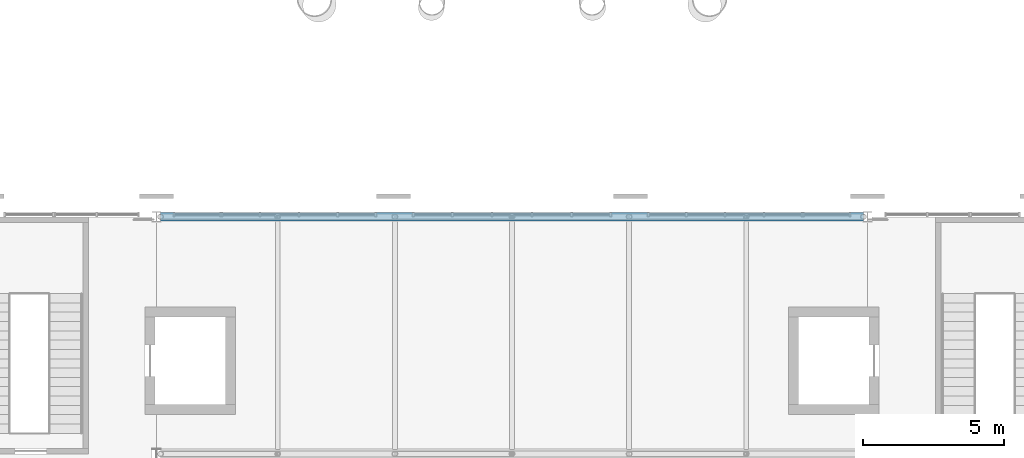
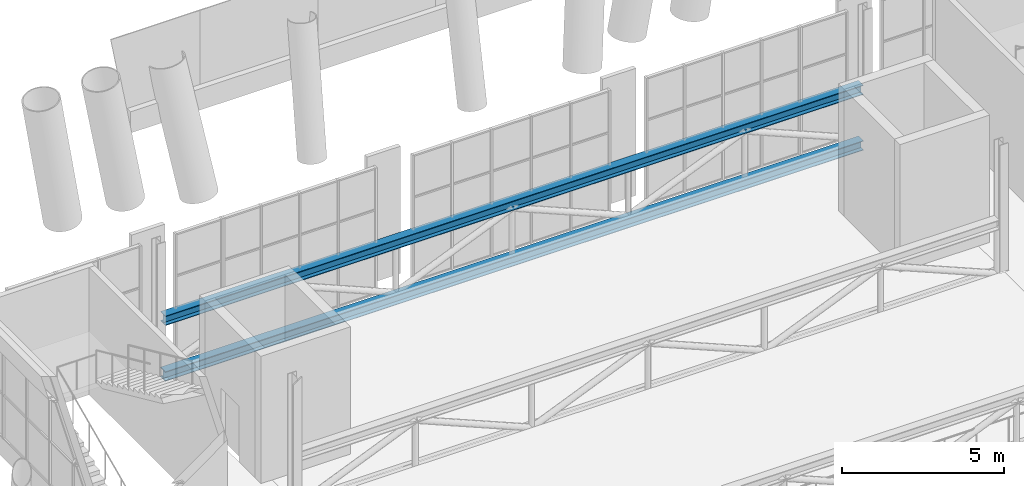
# One storey, part 35 of 76: 2 beams.
"""IFC4 building model written with IfcOpenShell, lengths in metres."""

from ifc_helpers import new_model, si_unit, direction, frame, origin, origin_2d, place, context, subcontext, project, spatial, i_section, extrude, material, material_profile, profile_set, type_object, element, save


model = new_model("IFC4")

# Units and contexts
model_context = context("Model", 3, precision=1e-05, world=origin(), true_north=direction((0.0, 1.0)))
body_context = subcontext(model_context, "Body", "Model", "MODEL_VIEW")
ifc_project = project(units=[si_unit("LENGTHUNIT", "METRE"), si_unit("AREAUNIT", "SQUARE_METRE"), si_unit("VOLUMEUNIT", "CUBIC_METRE"), si_unit("PLANEANGLEUNIT", "RADIAN"), si_unit("MASSUNIT", "GRAM", prefix="KILO")], contexts=[model_context])

# Site, building, storey
site_placement = place(None, origin())
site = spatial("IfcSite", under=ifc_project, at=site_placement, CompositionType="ELEMENT")
building_placement = place(site_placement, origin())
building = spatial("IfcBuilding", under=site, at=building_placement, Name="Sava Quay Ferry Terminal", CompositionType="ELEMENT")
storey_placement = place(building_placement, frame((0.0, 0.0, 6.0)))
storey = spatial("IfcBuildingStorey", under=building, at=storey_placement, Name="L01", CompositionType="ELEMENT", Elevation=6.0)

# Beams
ifc_material = material(Name="Steel S355", Category="steel")
ifc_material_profile = material_profile(ifc_material, i_section(OverallWidth=0.300048828125, OverallDepth=0.360107421875, WebThickness=0.012451171875, FlangeThickness=0.0224609375, at=origin_2d()), Name="HE 360 B")
ifc_profile_set = profile_set([ifc_material_profile], Name="Steel S355")
beam_type = type_object("IfcBeamType", Name="Girder HE 360 B", PredefinedType="BEAM", material=ifc_profile_set)
for number, where, z_axis, x_axis, name in (
    (1, (50.550048828125, 100.800048828125, -0.31005859375), (1.0, 0.0, 0.0), (0.0, 1.0, 0.0), "Truss bottom chord 100.8"),
    (2, (50.550048828125, 100.800048828125, 1.7900390625), (1.0, 0.0, 0.0), (0.0, 1.0, 0.0), "Truss top chord 100.8"),
):
    element("IfcBeam", number, at=place(storey_placement, frame(where, z_axis=z_axis, x_axis=x_axis)), inside=storey, type_object=beam_type, Name=name, PredefinedType="BEAM", context=body_context, shape_type="SweptSolid", body=[
        extrude(i_section(OverallWidth=0.300048828125, OverallDepth=0.360107421875, WebThickness=0.012451171875, FlangeThickness=0.0224609375, at=origin_2d()), origin(), (0.0, 0.0, 1.0), 24.89990234375),
    ])

save(model, "model.ifc")
